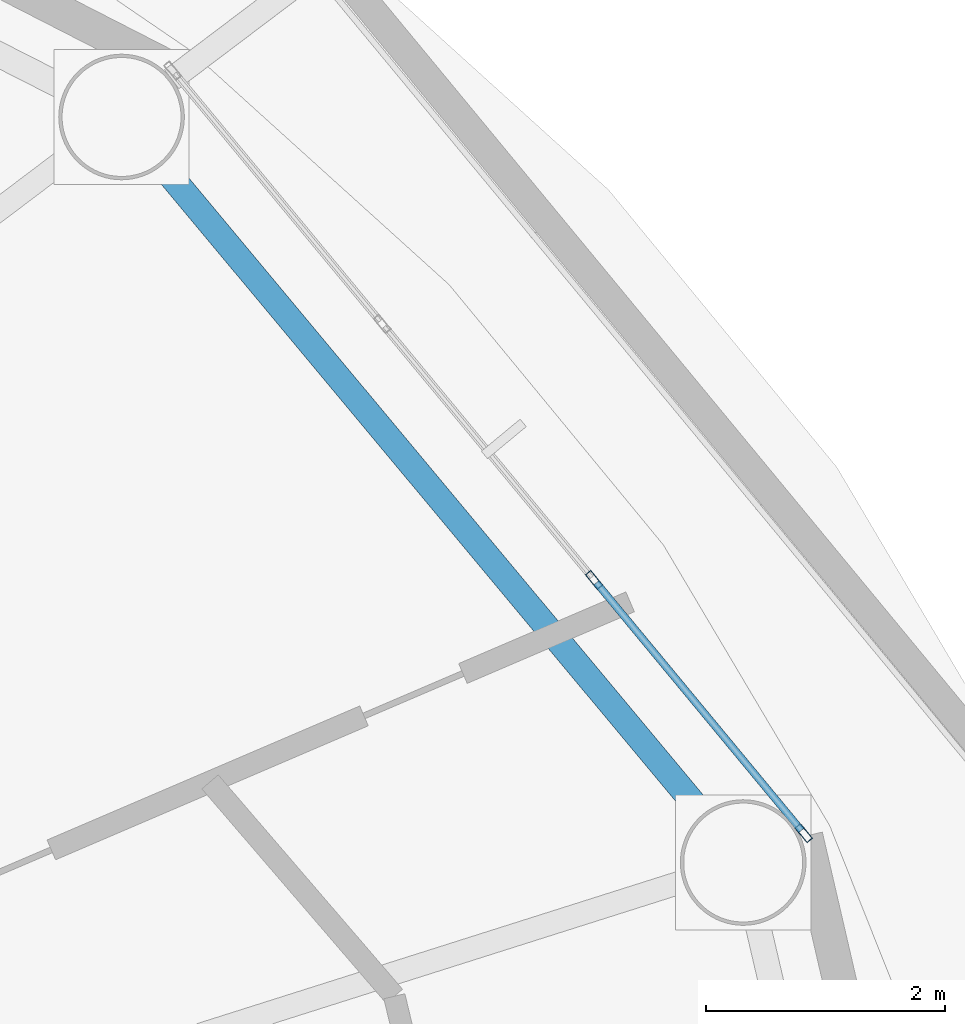
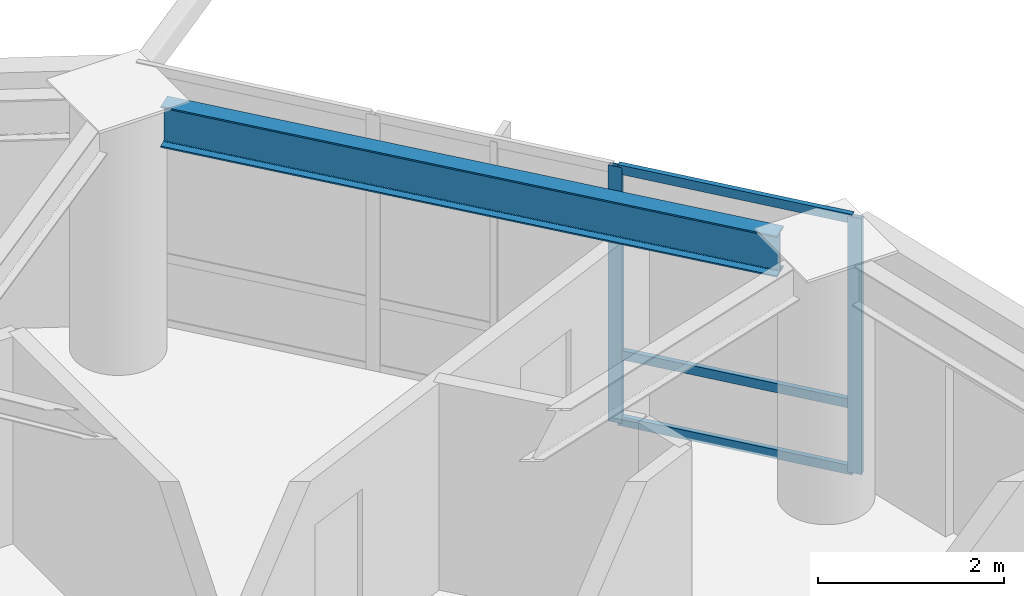
# One storey, part 7 of 22: 5 members, 1 beam, 1 element without a shape of its own.
"""IFC4 building model written with IfcOpenShell, lengths in metres."""

import ifcopenshell
import ifcopenshell.guid

model = None  # the IFC model being written
_history = None  # IfcOwnerHistory: only IFC2X3 demands one
_inside = {}  # id of a spatial element -> (the spatial element, [elements in it])
_under = {}  # id of a project, library or spatial element -> (it, [spatial elements below it])
_declared = {}  # id of a project -> (the project, [libraries it declares])
_typed = {}  # id of a type object -> (the type object, [elements of that type])
_made_of = {}  # id of a material, layer set ... -> (it, [elements and type objects made of it])


def new_model(schema):
    """Start an empty IFC model of exactly this schema.

    Asked for "IFC4X3", IfcOpenShell would pick the latest addendum, in which some entities
    have other attributes; the version numbers below select the first issue.
    IFC2X3 requires an IfcOwnerHistory on every rooted entity: one is made here for all.
    """
    global model, _history
    if schema == "IFC4X3":
        model = ifcopenshell.file(schema_version=(4, 3, 0, 0))
    else:
        model = ifcopenshell.file(schema=schema)
    _inside.clear()
    _under.clear()
    _declared.clear()
    _typed.clear()
    _made_of.clear()
    _history = None
    if model.schema == "IFC2X3":
        org = make("IfcOrganization", Name="unknown")
        user = make(
            "IfcPersonAndOrganization",
            ThePerson=make("IfcPerson", FamilyName="unknown"),
            TheOrganization=org,
        )
        app = make(
            "IfcApplication",
            ApplicationDeveloper=org,
            Version="unknown",
            ApplicationFullName="unknown",
            ApplicationIdentifier="unknown",
        )
        _history = make(
            "IfcOwnerHistory",
            OwningUser=user,
            OwningApplication=app,
            ChangeAction="ADDED",
            CreationDate=0,
        )
    return model


def make(cls, **values):
    """One entity of the class cls with the attributes given. An attribute that is None is left unset."""
    return model.create_entity(
        cls, **{name: value for name, value in values.items() if value is not None}
    )


def rooted(cls, **values):
    """An entity with a GlobalId (a new one), such as an element, a storey or a relation."""
    return make(cls, GlobalId=ifcopenshell.guid.new(), OwnerHistory=_history, **values)


def si_unit(unit_type, name, prefix=None):
    """IfcSIUnit, for example si_unit("LENGTHUNIT", "METRE", prefix="MILLI")."""
    return make("IfcSIUnit", UnitType=unit_type, Prefix=prefix, Name=name)


def assignment(units):
    """IfcUnitAssignment: the units of a project."""
    return None if units is None else make("IfcUnitAssignment", Units=units)


def point(xyz):
    """IfcCartesianPoint."""
    return None if xyz is None else make("IfcCartesianPoint", Coordinates=xyz)


def direction(xyz):
    """IfcDirection."""
    return None if xyz is None else make("IfcDirection", DirectionRatios=xyz)


def frame(location, z_axis=None, x_axis=None):
    """IfcAxis2Placement3D, a coordinate frame: its origin and axes. An axis left out is left unset."""
    return make(
        "IfcAxis2Placement3D",
        Location=point(location),
        Axis=direction(z_axis),
        RefDirection=direction(x_axis),
    )


def frame_2d(location, x_axis=None):
    """IfcAxis2Placement2D, a coordinate frame in the plane: its origin and x axis."""
    return make(
        "IfcAxis2Placement2D", Location=point(location), RefDirection=direction(x_axis)
    )


def origin():
    """The frame at (0, 0, 0) with its axes left unset."""
    return frame((0.0, 0.0, 0.0))


def origin_2d():
    """The frame at (0, 0) in the plane with its x axis left unset."""
    return frame_2d((0.0, 0.0))


def place(relative_to, where):
    """IfcLocalPlacement: puts the frame where relative to a parent placement (None: the world)."""
    return make(
        "IfcLocalPlacement", PlacementRelTo=relative_to, RelativePlacement=where
    )


def context(
    kind, dimensions, precision=None, world=None, true_north=None, identifier=None
):
    """IfcGeometricRepresentationContext, for example the 3D "Model" context."""
    return make(
        "IfcGeometricRepresentationContext",
        ContextIdentifier=identifier,
        ContextType=kind,
        CoordinateSpaceDimension=dimensions,
        Precision=precision,
        WorldCoordinateSystem=world,
        TrueNorth=true_north,
    )


def subcontext(parent, identifier, kind, view, scale=None):
    """IfcGeometricRepresentationSubContext, for example "Body" below "Model"."""
    return make(
        "IfcGeometricRepresentationSubContext",
        ContextIdentifier=identifier,
        ContextType=kind,
        ParentContext=parent,
        TargetScale=scale,
        TargetView=view,
    )


def project(units=None, contexts=None):
    """IfcProject with its units and contexts."""
    return rooted(
        "IfcProject",
        Name="project",
        RepresentationContexts=contexts,
        UnitsInContext=assignment(units),
    )


def spatial(cls, under=None, at=None, **own):
    """A site, building, storey or space (cls), placed at a placement, below another one or the project."""
    s = rooted(cls, ObjectPlacement=at, **own)
    if under is not None:
        _under.setdefault(under.id(), (under, []))[1].append(s)
    return s


def profile(cls, at=None, kind="AREA", **sizes):
    """A parametric profile (cls). Its sizes go by their IFC names, for example OverallWidth=200.0."""
    return make(cls, ProfileType=kind, Position=at, **sizes)


def hollow_rectangle(**sizes):
    """IfcRectangleHollowProfileDef."""
    return profile("IfcRectangleHollowProfileDef", **sizes)


def i_section(**sizes):
    """IfcIShapeProfileDef."""
    return profile("IfcIShapeProfileDef", **sizes)


def extrude(swept, where, along, depth):
    """IfcExtrudedAreaSolid: the profile swept, set in the frame where, extruded along a direction by depth."""
    return make(
        "IfcExtrudedAreaSolid",
        SweptArea=swept,
        Position=where,
        ExtrudedDirection=direction(along),
        Depth=depth,
    )


def shape(context_of_items, identifier, shape_type, items):
    """IfcShapeRepresentation: the items that make up one representation, for example the "Body"."""
    return make(
        "IfcShapeRepresentation",
        ContextOfItems=context_of_items,
        RepresentationIdentifier=identifier,
        RepresentationType=shape_type,
        Items=items,
    )


def material(Name=None, Category=None):
    """IfcMaterial."""
    return make("IfcMaterial", Name=Name, Category=Category)


def layer(
    of_material, thickness, ventilated=None, Name=None, Category=None, Priority=None
):
    """IfcMaterialLayer: one layer of a wall or slab, of a material (None: an air gap)."""
    return make(
        "IfcMaterialLayer",
        Material=of_material,
        LayerThickness=thickness,
        IsVentilated=ventilated,
        Name=Name,
        Category=Category,
        Priority=Priority,
    )


def layer_set(layers, Name=None):
    """IfcMaterialLayerSet."""
    return make("IfcMaterialLayerSet", MaterialLayers=layers, LayerSetName=Name)


def material_profile(
    of_material, cross_section, Name=None, Category=None, Priority=None
):
    """IfcMaterialProfile: a cross section and its material."""
    return make(
        "IfcMaterialProfile",
        Name=Name,
        Material=of_material,
        Profile=cross_section,
        Priority=Priority,
        Category=Category,
    )


def profile_set(profiles, Name=None, composite=None):
    """IfcMaterialProfileSet."""
    return make(
        "IfcMaterialProfileSet",
        Name=Name,
        MaterialProfiles=profiles,
        CompositeProfile=composite,
    )


def made_of(thing, what):
    """Note that an element or type object is made of a material, layer set ...; save() writes the relation."""
    if what is not None:
        _made_of.setdefault(what.id(), (what, []))[1].append(thing)
    return thing


def type_object(cls, material=None, **own):
    """A type object (cls), such as IfcWallType, which elements share."""
    return made_of(rooted(cls, **own), material)


def element(
    cls,
    number,
    at=None,
    inside=None,
    cuts=None,
    type_object=None,
    material=None,
    context=None,
    identifier="Body",
    shape_type=None,
    held_by="IfcProductDefinitionShape",
    body=None,
    shapes=None,
    **own,
):
    """One element of the class cls, such as IfcWall. Its Tag is "e" and its number.

    at: its placement. inside: the storey or other place that contains it. cuts: it is an
    opening in that element (IfcRelVoidsElement). A single representation is given by context,
    identifier, shape_type and body (its items); several are given by shapes. held_by: the class
    of the entity that holds the representations. save() writes the other relations.
    """
    e = rooted(cls, Tag="e%d" % number, ObjectPlacement=at, **own)
    if body is not None:
        shapes = [shape(context, identifier, shape_type, body)]
    if shapes is not None:
        e.Representation = make(held_by, Representations=shapes)
    if inside is not None:
        _inside.setdefault(inside.id(), (inside, []))[1].append(e)
    if cuts is not None:
        rooted(
            "IfcRelVoidsElement", RelatingBuildingElement=cuts, RelatedOpeningElement=e
        )
    if type_object is not None:
        _typed.setdefault(type_object.id(), (type_object, []))[1].append(e)
    return made_of(e, material)


def aggregate(whole, parts):
    """IfcRelAggregates: a whole, such as a stair, and the parts it consists of."""
    return rooted("IfcRelAggregates", RelatingObject=whole, RelatedObjects=parts)


def save(model, path):
    """Write the relations noted so far, then the file.

    IfcRelAggregates (storeys below a building ...), IfcRelContainedInSpatialStructure (elements
    in a storey), IfcRelDefinesByType, IfcRelAssociatesMaterial and IfcRelDeclares: one each for
    every whole, place, type object, material and project.
    """
    for whole, parts in _under.values():
        aggregate(whole, parts)
    for where, things in _inside.values():
        rooted(
            "IfcRelContainedInSpatialStructure",
            RelatedElements=things,
            RelatingStructure=where,
        )
    for kind, things in _typed.values():
        rooted("IfcRelDefinesByType", RelatedObjects=things, RelatingType=kind)
    for what, things in _made_of.values():
        rooted("IfcRelAssociatesMaterial", RelatedObjects=things, RelatingMaterial=what)
    for by, libraries in _declared.values():
        rooted("IfcRelDeclares", RelatingContext=by, RelatedDefinitions=libraries)
    model.write(path)


model = new_model("IFC4")

# Units and contexts
model_context = context("Model", 3, precision=1e-05, world=origin(), true_north=direction((0.0, 1.0)))
body_context = subcontext(model_context, "Body", "Model", "MODEL_VIEW")
ifc_project = project(units=[si_unit("LENGTHUNIT", "METRE"), si_unit("AREAUNIT", "SQUARE_METRE"), si_unit("VOLUMEUNIT", "CUBIC_METRE"), si_unit("PLANEANGLEUNIT", "RADIAN"), si_unit("MASSUNIT", "GRAM", prefix="KILO")], contexts=[model_context])

# Site, building, storey
site_placement = place(None, origin())
site = spatial("IfcSite", under=ifc_project, at=site_placement, CompositionType="ELEMENT")
building_placement = place(site_placement, origin())
building = spatial("IfcBuilding", under=site, at=building_placement, Name="Sarneth Arch Tower", CompositionType="ELEMENT")
storey_placement = place(building_placement, frame((0.0, 0.0, 206.39990234375)))
storey = spatial("IfcBuildingStorey", under=building, at=storey_placement, Name="L52", CompositionType="ELEMENT", Elevation=206.39990234375)

# Beam
ifc_material_1 = material(Name="Steel S355", Category="steel")
ifc_material_profile_1 = material_profile(ifc_material_1, i_section(OverallWidth=0.2109375, OverallDepth=0.5390625, WebThickness=0.01171875, FlangeThickness=0.018798828125, FilletRadius=0.01806640625, at=origin_2d()), Name="W530x109")
ifc_profile_set_1 = profile_set([ifc_material_profile_1], Name="Steel S355")
beam_type = type_object("IfcBeamType", Name="BM-RAD-530B", PredefinedType="BEAM", material=ifc_profile_set_1)
beam_placement = place(storey_placement, frame((70.83251953125, 49.750732421875, 3.090576171875), z_axis=(-0.640364654985, 0.76807103099, 0.0), x_axis=(-0.76807103099, -0.640364654985, 0.0)))
element("IfcBeam", 1, at=beam_placement, inside=storey, type_object=beam_type, Name="L52 Perimeter spandrel beam 02", PredefinedType="BEAM", context=body_context, shape_type="SweptSolid", body=[
    extrude(i_section(OverallWidth=0.2109375, OverallDepth=0.5390625, WebThickness=0.01171875, FlangeThickness=0.018798828125, FilletRadius=0.01806640625, at=origin_2d()), origin(), (0.0, 0.0, 1.0), 7.06005859375),
])

# Curtain wall, members
ifc_material_2 = material(Name="Anodised aluminium Type AA25 and solar-control low-e laminated IGU", Category="aluminium")
ifc_layer = layer(ifc_material_2, 0.179931640625)
ifc_layer_set = layer_set([ifc_layer], Name="Anodised aluminium Type AA25 and solar-control low-e laminated IGU")
curtain_wall_type = type_object("IfcCurtainWallType", Name="CW-RES-HIGH", PredefinedType="NOTDEFINED", material=ifc_layer_set)
curtain_wall_placement = place(storey_placement, origin())
curtain_wall = element("IfcCurtainWall", 2, at=curtain_wall_placement, inside=storey, type_object=curtain_wall_type, Name="L52 Unitised curtain wall facet 02", PredefinedType="NOTDEFINED")
ifc_material_3 = material(Name="Anodised Aluminium 6063-T6", Category="aluminium")
ifc_material_profile_2 = material_profile(ifc_material_3, hollow_rectangle(XDim=0.06005859375, YDim=0.159912109375, WallThickness=0.00390625, at=origin_2d()), Name="AL-MULL-160x60x4")
ifc_profile_set_2 = profile_set([ifc_material_profile_2], Name="Anodised Aluminium 6063-T6")
member_type_1 = type_object("IfcMemberType", Name="CW-MULLION", PredefinedType="MULLION", material=ifc_profile_set_2)
member_1_placement = place(storey_placement, frame((71.674560546875, 49.592529296875, 0.0), z_axis=(0.0, 0.0, 1.0), x_axis=(-0.770359245933, -0.637610094184, 0.0)))
member_1 = element("IfcMember", 3, at=member_1_placement, type_object=member_type_1, Name="CW-SYS-6 mullion 1", PredefinedType="MULLION", context=body_context, shape_type="SweptSolid", body=[
    extrude(hollow_rectangle(XDim=0.06005859375, YDim=0.159912109375, WallThickness=0.00390625, at=origin_2d()), origin(), (0.0, 0.0, 1.0), 3.360107421875),
])
member_2_placement = place(storey_placement, frame((69.92333984375, 51.70849609375, 0.0), z_axis=(0.0, 0.0, 1.0), x_axis=(-0.770359245933, -0.637610094184, 0.0)))
member_2 = element("IfcMember", 4, at=member_2_placement, type_object=member_type_1, Name="CW-SYS-6 mullion 2", PredefinedType="MULLION", context=body_context, shape_type="SweptSolid", body=[
    extrude(hollow_rectangle(XDim=0.06005859375, YDim=0.159912109375, WallThickness=0.00390625, at=origin_2d()), origin(), (0.0, 0.0, 1.0), 3.360107421875),
])
ifc_material_4 = material(Name="Anodised Aluminium 6063-T6", Category="aluminium")
ifc_material_profile_3 = material_profile(ifc_material_4, hollow_rectangle(XDim=0.06005859375, YDim=0.1201171875, WallThickness=0.00390625, at=origin_2d()), Name="AL-TRAN-120x60x4")
ifc_profile_set_3 = profile_set([ifc_material_profile_3], Name="Anodised Aluminium 6063-T6")
member_type_2 = type_object("IfcMemberType", Name="CW-TRANSOM", PredefinedType="USERDEFINED", material=ifc_profile_set_3)
member_3_placement = place(storey_placement, frame((71.655517578125, 49.61572265625, 0.030029296875), z_axis=(-0.637651400067, 0.770325056059, 0.0), x_axis=(-0.770325056059, -0.637651400067, 0.0)))
member_3 = element("IfcMember", 5, at=member_3_placement, type_object=member_type_2, Name="CW-SYS-6 transom 1.1", ObjectType="TRANSOM", PredefinedType="USERDEFINED", context=body_context, shape_type="SweptSolid", body=[
    extrude(hollow_rectangle(XDim=0.06005859375, YDim=0.1201171875, WallThickness=0.00390625, at=origin_2d()), origin(), (0.0, 0.0, 1.0), 2.6865234375),
])
member_4_placement = place(storey_placement, frame((71.655517578125, 49.61572265625, 0.900146484375), z_axis=(-0.637651400067, 0.770325056059, 0.0), x_axis=(-0.770325056059, -0.637651400067, 0.0)))
member_4 = element("IfcMember", 6, at=member_4_placement, type_object=member_type_2, Name="CW-SYS-6 transom 1.2", ObjectType="TRANSOM", PredefinedType="USERDEFINED", context=body_context, shape_type="SweptSolid", body=[
    extrude(hollow_rectangle(XDim=0.06005859375, YDim=0.1201171875, WallThickness=0.00390625, at=origin_2d()), origin(), (0.0, 0.0, 1.0), 2.6865234375),
])
member_5_placement = place(storey_placement, frame((71.655517578125, 49.61572265625, 3.330078125), z_axis=(-0.637651400067, 0.770325056059, 0.0), x_axis=(-0.770325056059, -0.637651400067, 0.0)))
member_5 = element("IfcMember", 7, at=member_5_placement, type_object=member_type_2, Name="CW-SYS-6 transom 1.3", ObjectType="TRANSOM", PredefinedType="USERDEFINED", context=body_context, shape_type="SweptSolid", body=[
    extrude(hollow_rectangle(XDim=0.06005859375, YDim=0.1201171875, WallThickness=0.00390625, at=origin_2d()), origin(), (0.0, 0.0, 1.0), 2.6865234375),
])
aggregate(curtain_wall, [member_1, member_2, member_3, member_4, member_5])

save(model, "model.ifc")
